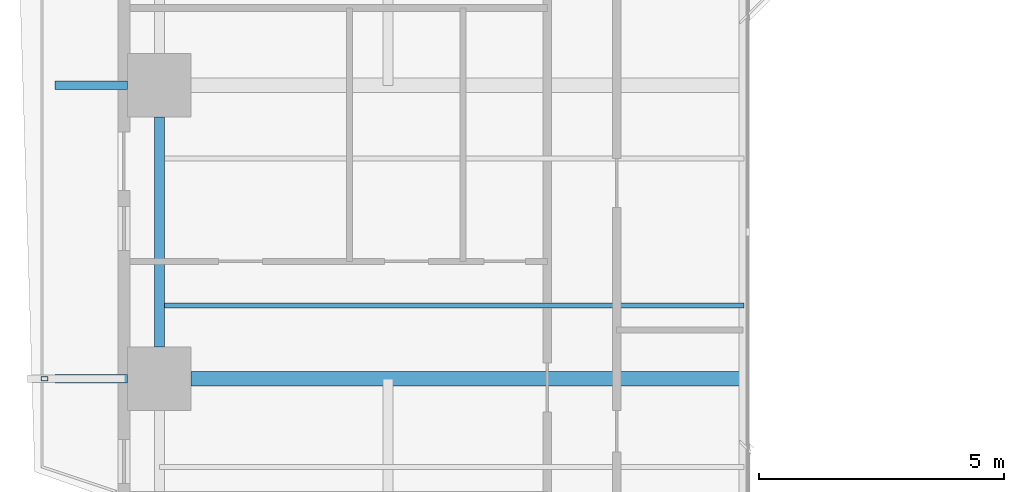
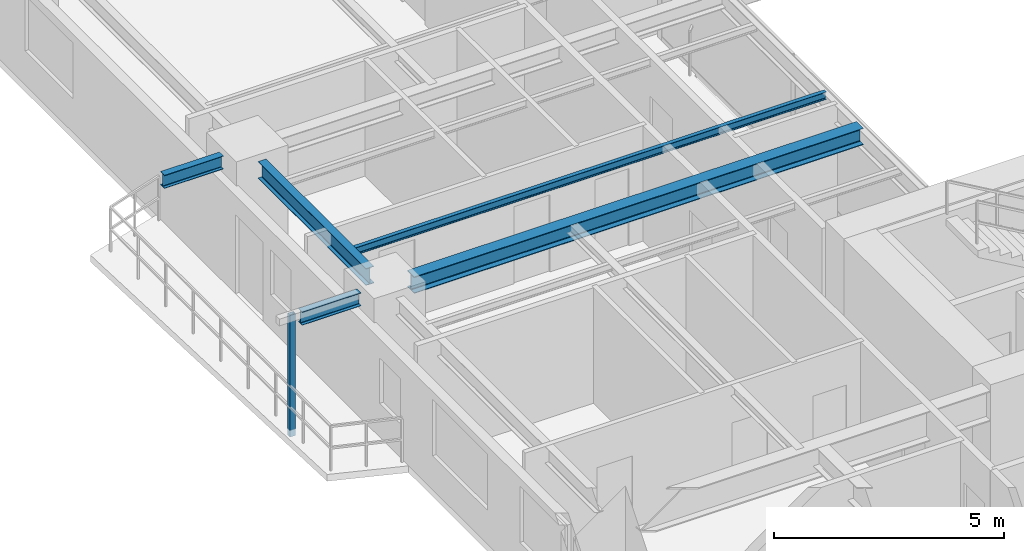
# One storey, part 3 of 23: 5 beams, 1 member.
"""IFC4 building model written with IfcOpenShell, lengths in metres."""

import ifcopenshell
import ifcopenshell.guid

model = None  # the IFC model being written
_history = None  # IfcOwnerHistory: only IFC2X3 demands one
_inside = {}  # id of a spatial element -> (the spatial element, [elements in it])
_under = {}  # id of a project, library or spatial element -> (it, [spatial elements below it])
_declared = {}  # id of a project -> (the project, [libraries it declares])
_typed = {}  # id of a type object -> (the type object, [elements of that type])
_made_of = {}  # id of a material, layer set ... -> (it, [elements and type objects made of it])


def new_model(schema):
    """Start an empty IFC model of exactly this schema.

    Asked for "IFC4X3", IfcOpenShell would pick the latest addendum, in which some entities
    have other attributes; the version numbers below select the first issue.
    IFC2X3 requires an IfcOwnerHistory on every rooted entity: one is made here for all.
    """
    global model, _history
    if schema == "IFC4X3":
        model = ifcopenshell.file(schema_version=(4, 3, 0, 0))
    else:
        model = ifcopenshell.file(schema=schema)
    _inside.clear()
    _under.clear()
    _declared.clear()
    _typed.clear()
    _made_of.clear()
    _history = None
    if model.schema == "IFC2X3":
        org = make("IfcOrganization", Name="unknown")
        user = make(
            "IfcPersonAndOrganization",
            ThePerson=make("IfcPerson", FamilyName="unknown"),
            TheOrganization=org,
        )
        app = make(
            "IfcApplication",
            ApplicationDeveloper=org,
            Version="unknown",
            ApplicationFullName="unknown",
            ApplicationIdentifier="unknown",
        )
        _history = make(
            "IfcOwnerHistory",
            OwningUser=user,
            OwningApplication=app,
            ChangeAction="ADDED",
            CreationDate=0,
        )
    return model


def make(cls, **values):
    """One entity of the class cls with the attributes given. An attribute that is None is left unset."""
    return model.create_entity(
        cls, **{name: value for name, value in values.items() if value is not None}
    )


def rooted(cls, **values):
    """An entity with a GlobalId (a new one), such as an element, a storey or a relation."""
    return make(cls, GlobalId=ifcopenshell.guid.new(), OwnerHistory=_history, **values)


def si_unit(unit_type, name, prefix=None):
    """IfcSIUnit, for example si_unit("LENGTHUNIT", "METRE", prefix="MILLI")."""
    return make("IfcSIUnit", UnitType=unit_type, Prefix=prefix, Name=name)


def assignment(units):
    """IfcUnitAssignment: the units of a project."""
    return None if units is None else make("IfcUnitAssignment", Units=units)


def point(xyz):
    """IfcCartesianPoint."""
    return None if xyz is None else make("IfcCartesianPoint", Coordinates=xyz)


def direction(xyz):
    """IfcDirection."""
    return None if xyz is None else make("IfcDirection", DirectionRatios=xyz)


def frame(location, z_axis=None, x_axis=None):
    """IfcAxis2Placement3D, a coordinate frame: its origin and axes. An axis left out is left unset."""
    return make(
        "IfcAxis2Placement3D",
        Location=point(location),
        Axis=direction(z_axis),
        RefDirection=direction(x_axis),
    )


def frame_2d(location, x_axis=None):
    """IfcAxis2Placement2D, a coordinate frame in the plane: its origin and x axis."""
    return make(
        "IfcAxis2Placement2D", Location=point(location), RefDirection=direction(x_axis)
    )


def origin():
    """The frame at (0, 0, 0) with its axes left unset."""
    return frame((0.0, 0.0, 0.0))


def origin_2d():
    """The frame at (0, 0) in the plane with its x axis left unset."""
    return frame_2d((0.0, 0.0))


def place(relative_to, where):
    """IfcLocalPlacement: puts the frame where relative to a parent placement (None: the world)."""
    return make(
        "IfcLocalPlacement", PlacementRelTo=relative_to, RelativePlacement=where
    )


def context(
    kind, dimensions, precision=None, world=None, true_north=None, identifier=None
):
    """IfcGeometricRepresentationContext, for example the 3D "Model" context."""
    return make(
        "IfcGeometricRepresentationContext",
        ContextIdentifier=identifier,
        ContextType=kind,
        CoordinateSpaceDimension=dimensions,
        Precision=precision,
        WorldCoordinateSystem=world,
        TrueNorth=true_north,
    )


def subcontext(parent, identifier, kind, view, scale=None):
    """IfcGeometricRepresentationSubContext, for example "Body" below "Model"."""
    return make(
        "IfcGeometricRepresentationSubContext",
        ContextIdentifier=identifier,
        ContextType=kind,
        ParentContext=parent,
        TargetScale=scale,
        TargetView=view,
    )


def project(units=None, contexts=None):
    """IfcProject with its units and contexts."""
    return rooted(
        "IfcProject",
        Name="project",
        RepresentationContexts=contexts,
        UnitsInContext=assignment(units),
    )


def spatial(cls, under=None, at=None, **own):
    """A site, building, storey or space (cls), placed at a placement, below another one or the project."""
    s = rooted(cls, ObjectPlacement=at, **own)
    if under is not None:
        _under.setdefault(under.id(), (under, []))[1].append(s)
    return s


def profile(cls, at=None, kind="AREA", **sizes):
    """A parametric profile (cls). Its sizes go by their IFC names, for example OverallWidth=200.0."""
    return make(cls, ProfileType=kind, Position=at, **sizes)


def hollow_rectangle(**sizes):
    """IfcRectangleHollowProfileDef."""
    return profile("IfcRectangleHollowProfileDef", **sizes)


def i_section(**sizes):
    """IfcIShapeProfileDef."""
    return profile("IfcIShapeProfileDef", **sizes)


def extrude(swept, where, along, depth):
    """IfcExtrudedAreaSolid: the profile swept, set in the frame where, extruded along a direction by depth."""
    return make(
        "IfcExtrudedAreaSolid",
        SweptArea=swept,
        Position=where,
        ExtrudedDirection=direction(along),
        Depth=depth,
    )


def shape(context_of_items, identifier, shape_type, items):
    """IfcShapeRepresentation: the items that make up one representation, for example the "Body"."""
    return make(
        "IfcShapeRepresentation",
        ContextOfItems=context_of_items,
        RepresentationIdentifier=identifier,
        RepresentationType=shape_type,
        Items=items,
    )


def source(mapping_origin, context_of_items, identifier, shape_type, items):
    """IfcRepresentationMap: a shape defined once, which mapped items show again and again."""
    return make(
        "IfcRepresentationMap",
        MappingOrigin=mapping_origin,
        MappedRepresentation=shape(context_of_items, identifier, shape_type, items),
    )


def transform(
    local_origin,
    x_axis=None,
    y_axis=None,
    z_axis=None,
    scale=None,
    scale2=None,
    scale3=None,
    uniform=True,
):
    """IfcCartesianTransformationOperator3D, or its non-uniform kind. x_axis, y_axis, z_axis: its Axis1, 2, 3."""
    if uniform:
        return make(
            "IfcCartesianTransformationOperator3D",
            Axis1=direction(x_axis),
            Axis2=direction(y_axis),
            LocalOrigin=point(local_origin),
            Scale=scale,
            Axis3=direction(z_axis),
        )
    return make(
        "IfcCartesianTransformationOperator3DnonUniform",
        Axis1=direction(x_axis),
        Axis2=direction(y_axis),
        LocalOrigin=point(local_origin),
        Scale=scale,
        Axis3=direction(z_axis),
        Scale2=scale2,
        Scale3=scale3,
    )


def mapped(mapping_source, mapping_target):
    """IfcMappedItem: shows the shape of a source again, moved by a transform."""
    return make(
        "IfcMappedItem", MappingSource=mapping_source, MappingTarget=mapping_target
    )


def material(Name=None, Category=None):
    """IfcMaterial."""
    return make("IfcMaterial", Name=Name, Category=Category)


def material_profile(
    of_material, cross_section, Name=None, Category=None, Priority=None
):
    """IfcMaterialProfile: a cross section and its material."""
    return make(
        "IfcMaterialProfile",
        Name=Name,
        Material=of_material,
        Profile=cross_section,
        Priority=Priority,
        Category=Category,
    )


def profile_set(profiles, Name=None, composite=None):
    """IfcMaterialProfileSet."""
    return make(
        "IfcMaterialProfileSet",
        Name=Name,
        MaterialProfiles=profiles,
        CompositeProfile=composite,
    )


def made_of(thing, what):
    """Note that an element or type object is made of a material, layer set ...; save() writes the relation."""
    if what is not None:
        _made_of.setdefault(what.id(), (what, []))[1].append(thing)
    return thing


def type_object(cls, material=None, **own):
    """A type object (cls), such as IfcWallType, which elements share."""
    return made_of(rooted(cls, **own), material)


def element(
    cls,
    number,
    at=None,
    inside=None,
    cuts=None,
    type_object=None,
    material=None,
    context=None,
    identifier="Body",
    shape_type=None,
    held_by="IfcProductDefinitionShape",
    body=None,
    shapes=None,
    **own,
):
    """One element of the class cls, such as IfcWall. Its Tag is "e" and its number.

    at: its placement. inside: the storey or other place that contains it. cuts: it is an
    opening in that element (IfcRelVoidsElement). A single representation is given by context,
    identifier, shape_type and body (its items); several are given by shapes. held_by: the class
    of the entity that holds the representations. save() writes the other relations.
    """
    e = rooted(cls, Tag="e%d" % number, ObjectPlacement=at, **own)
    if body is not None:
        shapes = [shape(context, identifier, shape_type, body)]
    if shapes is not None:
        e.Representation = make(held_by, Representations=shapes)
    if inside is not None:
        _inside.setdefault(inside.id(), (inside, []))[1].append(e)
    if cuts is not None:
        rooted(
            "IfcRelVoidsElement", RelatingBuildingElement=cuts, RelatedOpeningElement=e
        )
    if type_object is not None:
        _typed.setdefault(type_object.id(), (type_object, []))[1].append(e)
    return made_of(e, material)


def aggregate(whole, parts):
    """IfcRelAggregates: a whole, such as a stair, and the parts it consists of."""
    return rooted("IfcRelAggregates", RelatingObject=whole, RelatedObjects=parts)


def save(model, path):
    """Write the relations noted so far, then the file.

    IfcRelAggregates (storeys below a building ...), IfcRelContainedInSpatialStructure (elements
    in a storey), IfcRelDefinesByType, IfcRelAssociatesMaterial and IfcRelDeclares: one each for
    every whole, place, type object, material and project.
    """
    for whole, parts in _under.values():
        aggregate(whole, parts)
    for where, things in _inside.values():
        rooted(
            "IfcRelContainedInSpatialStructure",
            RelatedElements=things,
            RelatingStructure=where,
        )
    for kind, things in _typed.values():
        rooted("IfcRelDefinesByType", RelatedObjects=things, RelatingType=kind)
    for what, things in _made_of.values():
        rooted("IfcRelAssociatesMaterial", RelatedObjects=things, RelatingMaterial=what)
    for by, libraries in _declared.values():
        rooted("IfcRelDeclares", RelatingContext=by, RelatedDefinitions=libraries)
    model.write(path)


model = new_model("IFC4")

# Units and contexts
model_context = context("Model", 3, precision=1e-05, world=origin(), true_north=direction((0.0, 1.0)))
body_context = subcontext(model_context, "Body", "Model", "MODEL_VIEW")
ifc_project = project(units=[si_unit("LENGTHUNIT", "METRE"), si_unit("AREAUNIT", "SQUARE_METRE"), si_unit("VOLUMEUNIT", "CUBIC_METRE"), si_unit("PLANEANGLEUNIT", "RADIAN"), si_unit("MASSUNIT", "GRAM", prefix="KILO"), si_unit("THERMODYNAMICTEMPERATUREUNIT", "KELVIN"), si_unit("POWERUNIT", "WATT")], contexts=[model_context])

# Site, building, storey
site_placement = place(None, origin())
site = spatial("IfcSite", under=ifc_project, at=site_placement, CompositionType="ELEMENT")
building_placement = place(site_placement, origin())
building = spatial("IfcBuilding", under=site, at=building_placement, Name="Qiaomeng Ring Towers", CompositionType="ELEMENT")
storey_placement = place(building_placement, frame((0.0, 0.0, 73.0)))
storey = spatial("IfcBuildingStorey", under=building, at=storey_placement, Name="L20", CompositionType="ELEMENT", Elevation=73.0)

# Beams
ifc_material_1 = material(Name="Steel Q355B", Category="steel")
ifc_material_profile_1 = material_profile(ifc_material_1, i_section(OverallWidth=0.199951171875, OverallDepth=0.449951171875, WebThickness=0.009033203125, FlangeThickness=0.013916015625, FilletRadius=0.01806640625, at=origin_2d()), Name="HN 450x200x9x14")
ifc_profile_set_1 = profile_set([ifc_material_profile_1], Name="Steel Q355B")
beam_type_1 = type_object("IfcBeamType", Name="STR-BM-HN450", PredefinedType="SPANDREL", material=ifc_profile_set_1)
shared_shape_1 = source(origin(), body_context, "Body", "SweptSolid", [
    extrude(i_section(OverallWidth=0.199951171875, OverallDepth=0.449951171875, WebThickness=0.009033203125, FlangeThickness=0.013916015625, FilletRadius=0.01806640625, at=origin_2d()), origin(), (0.0, 0.0, 1.0), 4.7021484375),
])
beam_1_placement = place(storey_placement, frame((0.85009765625, 25.35107421875, 2.844970703125), z_axis=(0.0, -1.0, 0.0), x_axis=(1.0, 0.0, 0.0)))
element("IfcBeam", 1, at=beam_1_placement, inside=storey, type_object=beam_type_1, Name="L20 beam STR-SP-L20-T1-W3-W2", PredefinedType="SPANDREL", context=body_context, shape_type="MappedRepresentation", body=[
    mapped(shared_shape_1, transform((0.0, 0.0, 0.0), x_axis=(1.0, 0.0, 0.0), y_axis=(0.0, 1.0, 0.0), z_axis=(0.0, 0.0, 1.0), scale=1.0)),
])
ifc_material_profile_2 = material_profile(ifc_material_1, i_section(OverallWidth=0.300048828125, OverallDepth=0.43994140625, WebThickness=0.010986328125, FlangeThickness=0.01806640625, FilletRadius=0.02392578125, at=origin_2d()), Name="HM 440x300x11x18")
ifc_profile_set_2 = profile_set([ifc_material_profile_2], Name="Steel Q355B")
beam_type_2 = type_object("IfcBeamType", Name="STR-BM-HM440", PredefinedType="BEAM", material=ifc_profile_set_2)
shared_shape_2 = source(origin(), body_context, "Body", "SweptSolid", [
    extrude(i_section(OverallWidth=0.300048828125, OverallDepth=0.43994140625, WebThickness=0.010986328125, FlangeThickness=0.01806640625, FilletRadius=0.02392578125, at=origin_2d()), origin(), (0.0, 0.0, 1.0), 11.301025390625),
])
beam_2_placement = place(storey_placement, frame((1.4990234375, 20.0, 2.85009765625), z_axis=(1.0, 0.0, 0.0), x_axis=(0.0, 1.0, 0.0)))
element("IfcBeam", 2, at=beam_2_placement, inside=storey, type_object=beam_type_2, Name="L20 beam STR-BM-L20-T1-RAD-W2", PredefinedType="BEAM", context=body_context, shape_type="MappedRepresentation", body=[
    mapped(shared_shape_2, transform((0.0, 0.0, 0.0), x_axis=(1.0, 0.0, 0.0), y_axis=(0.0, 1.0, 0.0), z_axis=(0.0, 0.0, 1.0), scale=1.0)),
])
ifc_material_profile_3 = material_profile(ifc_material_1, i_section(OverallWidth=0.10009765625, OverallDepth=0.199951171875, WebThickness=0.005615234375, FlangeThickness=0.008056640625, FilletRadius=0.010986328125, at=origin_2d()), Name="HN 200x100x5.5x8")
ifc_profile_set_3 = profile_set([ifc_material_profile_3], Name="Steel Q355B")
beam_type_3 = type_object("IfcBeamType", Name="STR-BM-HN200", PredefinedType="JOIST", material=ifc_profile_set_3)
shared_shape_3 = source(origin(), body_context, "Body", "SweptSolid", [
    extrude(i_section(OverallWidth=0.10009765625, OverallDepth=0.199951171875, WebThickness=0.005615234375, FlangeThickness=0.008056640625, FilletRadius=0.010986328125, at=origin_2d()), origin(), (0.0, 0.0, 1.0), 11.949951171875),
])
beam_3_placement = place(storey_placement, frame((0.85009765625, 21.5, 2.969970703125), z_axis=(1.0, 0.0, 0.0), x_axis=(0.0, 1.0, 0.0)))
element("IfcBeam", 3, at=beam_3_placement, inside=storey, type_object=beam_type_3, Name="L20 beam STR-JST-L20-T1W-2", PredefinedType="JOIST", context=body_context, shape_type="MappedRepresentation", body=[
    mapped(shared_shape_3, transform((0.0, 0.0, 0.0), x_axis=(1.0, 0.0, 0.0), y_axis=(0.0, 1.0, 0.0), z_axis=(0.0, 0.0, 1.0), scale=1.0)),
])
ifc_material_profile_4 = material_profile(ifc_material_1, i_section(OverallWidth=0.175048828125, OverallDepth=0.35009765625, WebThickness=0.007080078125, FlangeThickness=0.010986328125, FilletRadius=0.013916015625, at=origin_2d()), Name="HN 350x175x7x11")
ifc_profile_set_4 = profile_set([ifc_material_profile_4], Name="Steel Q355B")
beam_type_4 = type_object("IfcBeamType", Name="STR-BM-HN350", PredefinedType="JOIST", material=ifc_profile_set_4)
shared_shape_4 = source(origin(), body_context, "Body", "SweptSolid", [
    extrude(i_section(OverallWidth=0.175048828125, OverallDepth=0.35009765625, WebThickness=0.007080078125, FlangeThickness=0.010986328125, FilletRadius=0.013916015625, at=origin_2d()), origin(), (0.0, 0.0, 1.0), 1.48095703125),
])
for number, where, z_axis, x_axis, name in (
    (4, (-1.280029296875, 20.0, 2.89501953125), (1.0, 0.0, 0.0), (0.0, 1.0, 0.0), "L20 beam STR-BALBM-L20-W2"),
    (5, (-1.280029296875, 26.0, 2.89501953125), (1.0, 0.0, 0.0), (0.0, 1.0, 0.0), "L20 beam STR-BALBM-L20-W3"),
):
    element("IfcBeam", number, at=place(storey_placement, frame(where, z_axis=z_axis, x_axis=x_axis)), inside=storey, type_object=beam_type_4, Name=name, PredefinedType="JOIST", context=body_context, shape_type="MappedRepresentation", body=[
        mapped(shared_shape_4, transform((0.0, 0.0, 0.0), x_axis=(1.0, 0.0, 0.0), y_axis=(0.0, 1.0, 0.0), z_axis=(0.0, 0.0, 1.0), scale=1.0)),
    ])

# Member
ifc_material_2 = material(Name="Stainless steel 316", Category="steel")
ifc_material_profile_5 = material_profile(ifc_material_2, hollow_rectangle(XDim=0.090087890625, YDim=0.139892578125, WallThickness=0.0048828125, at=origin_2d()), Name="SS TRELLIS 90x140")
ifc_profile_set_5 = profile_set([ifc_material_profile_5], Name="Stainless steel 316")
member_type = type_object("IfcMemberType", Name="ARC-TR-POST1", PredefinedType="STUD", material=ifc_profile_set_5)
shared_shape_5 = source(origin(), body_context, "Body", "SweptSolid", [
    extrude(hollow_rectangle(XDim=0.090087890625, YDim=0.139892578125, WallThickness=0.0048828125, at=origin_2d()), origin(), (0.0, 0.0, 1.0), 3.25),
])
member_placement = place(storey_placement, frame((-1.5, 20.0, -0.179931640625), z_axis=(0.0, 0.0, 1.0), x_axis=(0.0, 1.0, 0.0)))
element("IfcMember", 6, at=member_placement, inside=storey, type_object=member_type, Name="L20 Outer Ventilated Trellis Post W", PredefinedType="STUD", context=body_context, shape_type="MappedRepresentation", body=[
    mapped(shared_shape_5, transform((0.0, 0.0, 0.0), x_axis=(1.0, 0.0, 0.0), y_axis=(0.0, 1.0, 0.0), z_axis=(0.0, 0.0, 1.0), scale=1.0)),
])

save(model, "model.ifc")
